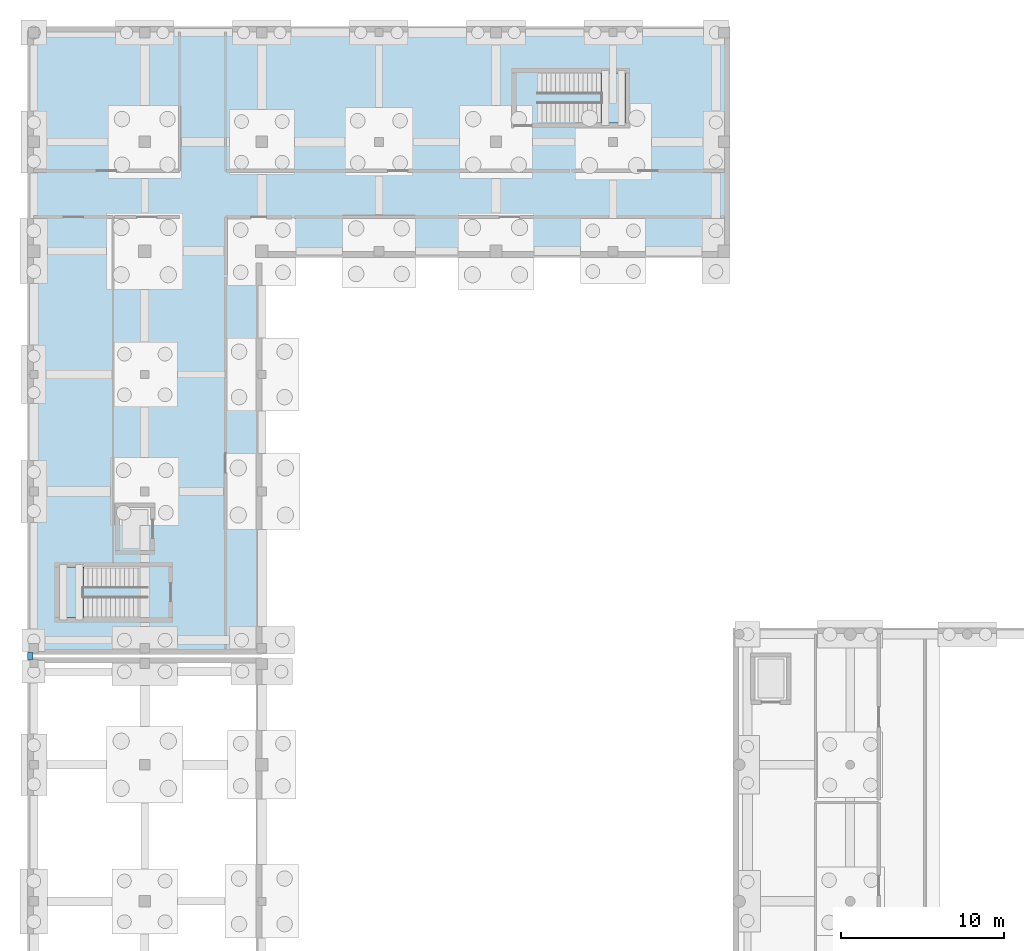
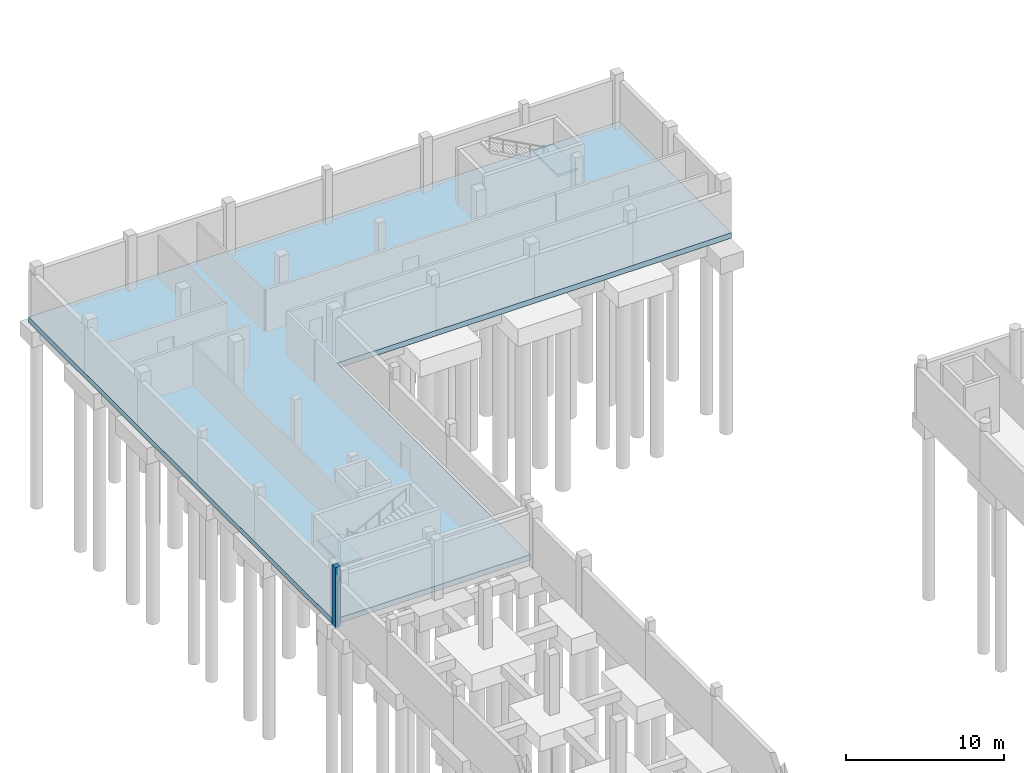
# One storey, part 22 of 41: 3 slabs, 1 plate, 2 elements without a shape of their own.
"""IFC4 building model written with IfcOpenShell, lengths in metres."""

from ifc_helpers import new_model, si_unit, direction, frame, origin, origin_2d, place, context, subcontext, project, spatial, polyline, rectangle, outline, extrude, material, layer, layer_set, type_object, element, aggregate, save


model = new_model("IFC4")

# Units and contexts
model_context = context("Model", 3, precision=1e-05, world=origin(), true_north=direction((0.0, 1.0)))
body_context = subcontext(model_context, "Body", "Model", "MODEL_VIEW")
ifc_project = project(units=[si_unit("LENGTHUNIT", "METRE"), si_unit("AREAUNIT", "SQUARE_METRE"), si_unit("VOLUMEUNIT", "CUBIC_METRE"), si_unit("PLANEANGLEUNIT", "RADIAN"), si_unit("MASSUNIT", "GRAM", prefix="KILO")], contexts=[model_context])

# Site, building, storey
site_placement = place(None, origin())
site = spatial("IfcSite", under=ifc_project, at=site_placement, CompositionType="ELEMENT")
building_placement = place(site_placement, origin())
building = spatial("IfcBuilding", under=site, at=building_placement, Name="Vardoun Plaza Health Centre", CompositionType="ELEMENT")
storey_placement = place(building_placement, frame((0.0, 0.0, -4.5)))
storey = spatial("IfcBuildingStorey", under=building, at=storey_placement, Name="B1", CompositionType="ELEMENT", Elevation=-4.5)

# Stair, slab
ifc_material_1 = material(Name="Concrete C35/45", Category="concrete")
stair_type = type_object("IfcStairType", Name="ST-01", PredefinedType="HALF_TURN_STAIR", material=ifc_material_1)
stair_1_placement = place(storey_placement, origin())
stair_1 = element("IfcStair", 1, at=stair_1_placement, inside=storey, type_object=stair_type, Name="Core C3 B1 Exit Stair ST-C3-B1", PredefinedType="HALF_TURN_STAIR")
ifc_material_2 = material(Name="Concrete C35/45", Category="concrete")
ifc_layer_1 = layer(ifc_material_2, 0.199951171875)
ifc_layer_set_1 = layer_set([ifc_layer_1], Name="Concrete C35/45")
slab_type_1 = type_object("IfcSlabType", Name="SL-LD", PredefinedType="LANDING", material=ifc_layer_set_1)
slab_1_placement = place(storey_placement, frame((0.0, 0.0, 2.050048828125)))
slab_1 = element("IfcSlab", 2, at=slab_1_placement, type_object=slab_type_1, Name="ST-C3-B1 landing 1", PredefinedType="LANDING", context=body_context, shape_type="SweptSolid", body=[
    extrude(outline(polyline([(6.449951171875, 78.949951171875), (7.9306640625, 78.949951171875), (7.9306640625, 82.050048828125), (6.449951171875, 82.050048828125), (6.449951171875, 78.949951171875)])), origin(), (0.0, 0.0, 1.0), 0.199951171875),
])
aggregate(stair_1, [slab_1])

stair_2_placement = place(storey_placement, origin())
stair_2 = element("IfcStair", 3, at=stair_2_placement, inside=storey, type_object=stair_type, Name="Core C4 B1 Exit Stair ST-C4-B1", PredefinedType="HALF_TURN_STAIR")
slab_2_placement = place(storey_placement, frame((0.0, 0.0, 2.050048828125)))
slab_2 = element("IfcSlab", 4, at=slab_2_placement, type_object=slab_type_1, Name="ST-C4-B1 landing 1", PredefinedType="LANDING", context=body_context, shape_type="SweptSolid", body=[
    extrude(outline(polyline([(39.769287109375, 109.35009765625), (41.25, 109.35009765625), (41.25, 112.449951171875), (39.769287109375, 112.449951171875), (39.769287109375, 109.35009765625)])), origin(), (0.0, 0.0, 1.0), 0.199951171875),
])
aggregate(stair_2, [slab_2])

# Plate
ifc_material_3 = material(Name="Aluminium Alloy EN AW-6063-T6", Category="aluminium")
ifc_layer_2 = layer(ifc_material_3, 0.050048828125)
ifc_layer_set_2 = layer_set([ifc_layer_2], Name="Aluminium Alloy EN AW-6063-T6")
plate_type = type_object("IfcPlateType", Name="SJ-01", PredefinedType="SHEET", material=ifc_layer_set_2)
plate_placement = place(storey_placement, frame((4.659912109375, 76.590087890625, -0.420166015625), z_axis=(0.0, 0.0, 1.0), x_axis=(1.0, 0.0, 0.0)))
element("IfcPlate", 5, at=plate_placement, inside=storey, type_object=plate_type, Name="Seismic Joint Facade Cover SJ-V23-W-B1", PredefinedType="SHEET", context=body_context, shape_type="SweptSolid", body=[
    extrude(rectangle(XDim=0.360107421875, YDim=0.419921875, at=origin_2d()), origin(), (0.0, 0.0, 1.0), 4.6201171875),
])

# Slab
ifc_material_4 = material(Name="Concrete C35/45", Category="concrete")
ifc_layer_3 = layer(ifc_material_4, 0.419921875)
ifc_layer_set_3 = layer_set([ifc_layer_3], Name="Concrete C35/45")
slab_type_2 = type_object("IfcSlabType", Name="SL-B1", PredefinedType="BASESLAB", material=ifc_layer_set_3)
slab_3_placement = place(storey_placement, frame((0.0, 0.0, -0.419921875)))
element("IfcSlab", 6, at=slab_3_placement, inside=storey, type_object=slab_type_2, Name="V3 B1 Structural Slab", PredefinedType="BASESLAB", context=body_context, shape_type="SweptSolid", body=[
    extrude(outline(polyline([(4.5, 76.679931640625), (18.89990234375, 76.679931640625), (18.89990234375, 101.10009765625), (47.699951171875, 101.10009765625), (47.699951171875, 115.300048828125), (4.5, 115.300048828125), (4.5, 76.679931640625)])), origin(), (0.0, 0.0, 1.0), 0.419921875),
])

save(model, "model.ifc")
